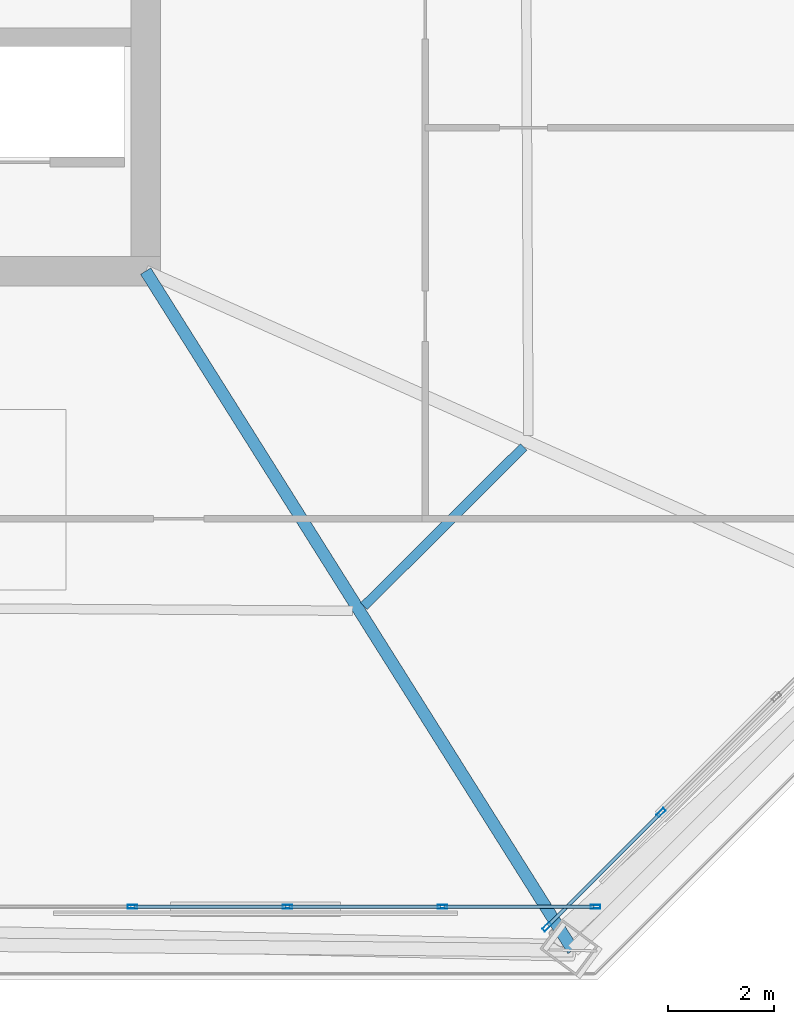
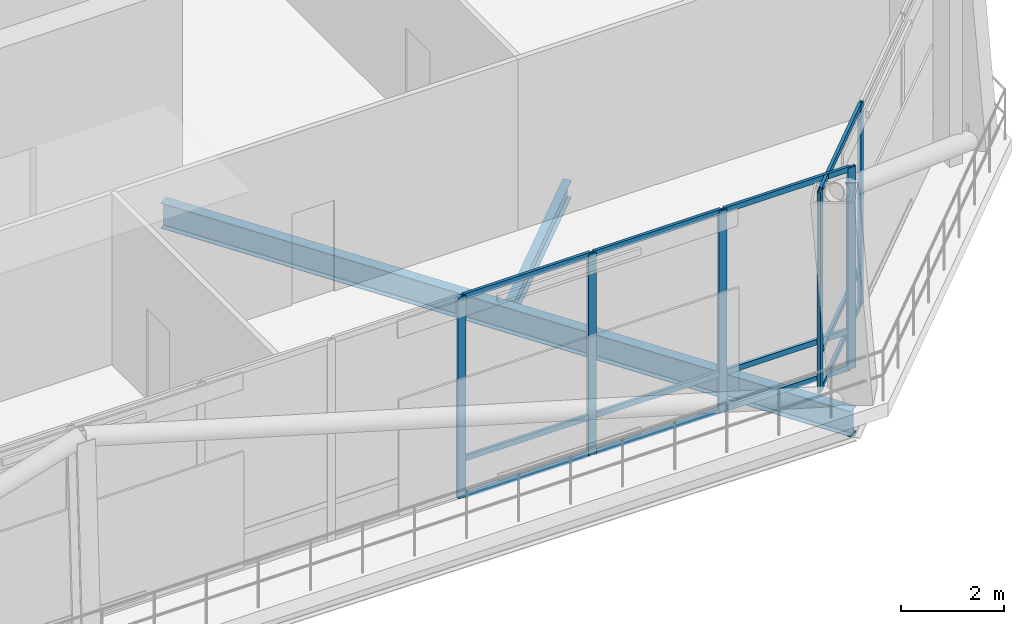
# One storey, part 14 of 34: 18 members, 2 beams, 2 elements without a shape of their own.
"""IFC4 building model written with IfcOpenShell, lengths in metres."""

from ifc_helpers import new_model, si_unit, direction, frame, origin, origin_2d, place, context, subcontext, project, spatial, hollow_rectangle, i_section, extrude, material, layer, layer_set, material_profile, profile_set, type_object, element, aggregate, save


model = new_model("IFC4")

# Units and contexts
model_context = context("Model", 3, precision=1e-05, world=origin(), true_north=direction((0.0, 1.0)))
body_context = subcontext(model_context, "Body", "Model", "MODEL_VIEW")
ifc_project = project(units=[si_unit("LENGTHUNIT", "METRE"), si_unit("AREAUNIT", "SQUARE_METRE"), si_unit("VOLUMEUNIT", "CUBIC_METRE"), si_unit("PLANEANGLEUNIT", "RADIAN"), si_unit("MASSUNIT", "GRAM", prefix="KILO")], contexts=[model_context])

# Site, building, storey
site_placement = place(None, origin())
site = spatial("IfcSite", under=ifc_project, at=site_placement, CompositionType="ELEMENT")
building_placement = place(site_placement, origin())
building = spatial("IfcBuilding", under=site, at=building_placement, Name="Caelvoria Tower", CompositionType="ELEMENT")
storey_placement = place(building_placement, frame((0.0, 0.0, 172.0)))
storey = spatial("IfcBuildingStorey", under=building, at=storey_placement, Name="L45", CompositionType="ELEMENT", Elevation=172.0)

# Curtain wall, members
ifc_material_1 = material(Name="Anodised Bronze Aluminium and Low-E Glass", Category="aluminium")
ifc_layer = layer(ifc_material_1, 0.2099609375, Name="Anodised Bronze Aluminium and Low-E Glass")
ifc_layer_set = layer_set([ifc_layer], Name="CW System 3 Sky Lobby Double-Height Acoustic Facade - Anodised Bronze Aluminium and Low-E Glass")
curtain_wall_type = type_object("IfcCurtainWallType", Name="CW System 3 Sky Lobby Double-Height Acoustic Facade", PredefinedType="NOTDEFINED", material=ifc_layer_set)
curtain_wall_1_placement = place(storey_placement, origin())
curtain_wall_1 = element("IfcCurtainWall", 1, at=curtain_wall_1_placement, inside=storey, type_object=curtain_wall_type, Name="CW-03 Curtain Wall L45-E0", PredefinedType="NOTDEFINED")
ifc_material_2 = material(Name="Anodised Bronze Architectural Aluminium", Category="aluminium")
ifc_material_profile_1 = material_profile(ifc_material_2, hollow_rectangle(XDim=0.070068359375, YDim=0.179931640625, WallThickness=0.00390625, at=origin_2d()), Name="Anodised Bronze Architectural Aluminium")
ifc_profile_set_1 = profile_set([ifc_material_profile_1], Name="CW_MULL_70X180 - Anodised Bronze Architectural Aluminium")
member_type_1 = type_object("IfcMemberType", Name="Curtain Wall Mullion 70x180 Bronze Aluminium", PredefinedType="MULLION", material=ifc_profile_set_1)
member_1_placement = place(storey_placement, frame((54.75, 12.0400390625, 0.0), z_axis=(0.0, 0.0, 1.0), x_axis=(0.0, 1.0, 0.0)))
member_1 = element("IfcMember", 2, at=member_1_placement, type_object=member_type_1, Name="CW-03 mullion 10", PredefinedType="MULLION", context=body_context, shape_type="SweptSolid", body=[
    extrude(hollow_rectangle(XDim=0.070068359375, YDim=0.179931640625, WallThickness=0.00390625, at=origin_2d()), origin(), (0.0, 0.0, 1.0), 4.760009765625),
])
member_2_placement = place(storey_placement, frame((57.666748046875, 12.0400390625, 0.0), z_axis=(0.0, 0.0, 1.0), x_axis=(0.0, 1.0, 0.0)))
member_2 = element("IfcMember", 3, at=member_2_placement, type_object=member_type_1, Name="CW-03 mullion 11", PredefinedType="MULLION", context=body_context, shape_type="SweptSolid", body=[
    extrude(hollow_rectangle(XDim=0.070068359375, YDim=0.179931640625, WallThickness=0.00390625, at=origin_2d()), origin(), (0.0, 0.0, 1.0), 4.760009765625),
])
member_3_placement = place(storey_placement, frame((60.583251953125, 12.0400390625, 0.0), z_axis=(0.0, 0.0, 1.0), x_axis=(0.0, 1.0, 0.0)))
member_3 = element("IfcMember", 4, at=member_3_placement, type_object=member_type_1, Name="CW-03 mullion 12", PredefinedType="MULLION", context=body_context, shape_type="SweptSolid", body=[
    extrude(hollow_rectangle(XDim=0.070068359375, YDim=0.179931640625, WallThickness=0.00390625, at=origin_2d()), origin(), (0.0, 0.0, 1.0), 4.760009765625),
])
member_4_placement = place(storey_placement, frame((63.465087890625, 12.0400390625, 0.0), z_axis=(0.0, 0.0, 1.0), x_axis=(0.0, 1.0, 0.0)))
member_4 = element("IfcMember", 5, at=member_4_placement, type_object=member_type_1, Name="CW-03 mullion 13", PredefinedType="MULLION", context=body_context, shape_type="SweptSolid", body=[
    extrude(hollow_rectangle(XDim=0.070068359375, YDim=0.179931640625, WallThickness=0.00390625, at=origin_2d()), origin(), (0.0, 0.0, 1.0), 4.760009765625),
])

curtain_wall_2_placement = place(storey_placement, origin())
curtain_wall_2 = element("IfcCurtainWall", 6, at=curtain_wall_2_placement, inside=storey, type_object=curtain_wall_type, Name="CW-03 Curtain Wall L45-E1", PredefinedType="NOTDEFINED")
member_5_placement = place(storey_placement, frame((62.548828125, 11.66064453125, 0.0), z_axis=(0.0, 0.0, 1.0), x_axis=(-0.707106781187, 0.707106781187, 0.0)))
member_5 = element("IfcMember", 7, at=member_5_placement, type_object=member_type_1, Name="CW-03 mullion 1", PredefinedType="MULLION", context=body_context, shape_type="SweptSolid", body=[
    extrude(hollow_rectangle(XDim=0.070068359375, YDim=0.179931640625, WallThickness=0.00390625, at=origin_2d()), origin(), (0.0, 0.0, 1.0), 4.760009765625),
])
member_6_placement = place(storey_placement, frame((64.697509765625, 13.80908203125, 0.0), z_axis=(0.0, 0.0, 1.0), x_axis=(-0.707106781187, 0.707106781187, 0.0)))
member_6 = element("IfcMember", 8, at=member_6_placement, type_object=member_type_1, Name="CW-03 mullion 2", PredefinedType="MULLION", context=body_context, shape_type="SweptSolid", body=[
    extrude(hollow_rectangle(XDim=0.070068359375, YDim=0.179931640625, WallThickness=0.00390625, at=origin_2d()), origin(), (0.0, 0.0, 1.0), 4.760009765625),
])

# Member
ifc_material_profile_2 = material_profile(ifc_material_2, hollow_rectangle(XDim=0.06494140625, YDim=0.1298828125, WallThickness=0.00341796875, at=origin_2d()), Name="Anodised Bronze Architectural Aluminium")
ifc_profile_set_2 = profile_set([ifc_material_profile_2], Name="CW_TRAN_65X130 - Anodised Bronze Architectural Aluminium")
member_type_2 = type_object("IfcMemberType", Name="Curtain Wall Transom 65x130 Bronze Aluminium", PredefinedType="USERDEFINED", material=ifc_profile_set_2)
member_7_placement = place(storey_placement, frame((54.784912109375, 12.0400390625, 0.032470703125), z_axis=(1.0, 0.0, 0.0), x_axis=(0.0, 1.0, 0.0)))
member_7 = element("IfcMember", 9, at=member_7_placement, type_object=member_type_2, Name="CW-03 transom 10.1", ObjectType="TRANSOM", PredefinedType="USERDEFINED", context=body_context, shape_type="SweptSolid", body=[
    extrude(hollow_rectangle(XDim=0.06494140625, YDim=0.1298828125, WallThickness=0.00341796875, at=origin_2d()), origin(), (0.0, 0.0, 1.0), 2.8466796875),
])

member_8_placement = place(storey_placement, frame((54.784912109375, 12.0400390625, 0.89990234375), z_axis=(1.0, 0.0, 0.0), x_axis=(0.0, 1.0, 0.0)))
member_8 = element("IfcMember", 10, at=member_8_placement, type_object=member_type_2, Name="CW-03 transom 10.2", ObjectType="TRANSOM", PredefinedType="USERDEFINED", context=body_context, shape_type="SweptSolid", body=[
    extrude(hollow_rectangle(XDim=0.06494140625, YDim=0.1298828125, WallThickness=0.00341796875, at=origin_2d()), origin(), (0.0, 0.0, 1.0), 2.8466796875),
])

member_9_placement = place(storey_placement, frame((54.784912109375, 12.0400390625, 4.7275390625), z_axis=(1.0, 0.0, 0.0), x_axis=(0.0, 1.0, 0.0)))
member_9 = element("IfcMember", 11, at=member_9_placement, type_object=member_type_2, Name="CW-03 transom 10.3", ObjectType="TRANSOM", PredefinedType="USERDEFINED", context=body_context, shape_type="SweptSolid", body=[
    extrude(hollow_rectangle(XDim=0.06494140625, YDim=0.1298828125, WallThickness=0.00341796875, at=origin_2d()), origin(), (0.0, 0.0, 1.0), 2.8466796875),
])

member_10_placement = place(storey_placement, frame((57.70166015625, 12.0400390625, 0.032470703125), z_axis=(1.0, 0.0, 0.0), x_axis=(0.0, 1.0, 0.0)))
member_10 = element("IfcMember", 12, at=member_10_placement, type_object=member_type_2, Name="CW-03 transom 11.1", ObjectType="TRANSOM", PredefinedType="USERDEFINED", context=body_context, shape_type="SweptSolid", body=[
    extrude(hollow_rectangle(XDim=0.06494140625, YDim=0.1298828125, WallThickness=0.00341796875, at=origin_2d()), origin(), (0.0, 0.0, 1.0), 2.8466796875),
])

member_11_placement = place(storey_placement, frame((57.70166015625, 12.0400390625, 0.89990234375), z_axis=(1.0, 0.0, 0.0), x_axis=(0.0, 1.0, 0.0)))
member_11 = element("IfcMember", 13, at=member_11_placement, type_object=member_type_2, Name="CW-03 transom 11.2", ObjectType="TRANSOM", PredefinedType="USERDEFINED", context=body_context, shape_type="SweptSolid", body=[
    extrude(hollow_rectangle(XDim=0.06494140625, YDim=0.1298828125, WallThickness=0.00341796875, at=origin_2d()), origin(), (0.0, 0.0, 1.0), 2.8466796875),
])

member_12_placement = place(storey_placement, frame((57.70166015625, 12.0400390625, 4.7275390625), z_axis=(1.0, 0.0, 0.0), x_axis=(0.0, 1.0, 0.0)))
member_12 = element("IfcMember", 14, at=member_12_placement, type_object=member_type_2, Name="CW-03 transom 11.3", ObjectType="TRANSOM", PredefinedType="USERDEFINED", context=body_context, shape_type="SweptSolid", body=[
    extrude(hollow_rectangle(XDim=0.06494140625, YDim=0.1298828125, WallThickness=0.00341796875, at=origin_2d()), origin(), (0.0, 0.0, 1.0), 2.8466796875),
])

member_13_placement = place(storey_placement, frame((60.618408203125, 12.0400390625, 0.032470703125), z_axis=(1.0, 0.0, 0.0), x_axis=(0.0, 1.0, 0.0)))
member_13 = element("IfcMember", 15, at=member_13_placement, type_object=member_type_2, Name="CW-03 transom 12.1", ObjectType="TRANSOM", PredefinedType="USERDEFINED", context=body_context, shape_type="SweptSolid", body=[
    extrude(hollow_rectangle(XDim=0.06494140625, YDim=0.1298828125, WallThickness=0.00341796875, at=origin_2d()), origin(), (0.0, 0.0, 1.0), 2.8115234375),
])

member_14_placement = place(storey_placement, frame((60.618408203125, 12.0400390625, 0.89990234375), z_axis=(1.0, 0.0, 0.0), x_axis=(0.0, 1.0, 0.0)))
member_14 = element("IfcMember", 16, at=member_14_placement, type_object=member_type_2, Name="CW-03 transom 12.2", ObjectType="TRANSOM", PredefinedType="USERDEFINED", context=body_context, shape_type="SweptSolid", body=[
    extrude(hollow_rectangle(XDim=0.06494140625, YDim=0.1298828125, WallThickness=0.00341796875, at=origin_2d()), origin(), (0.0, 0.0, 1.0), 2.8115234375),
])

member_15_placement = place(storey_placement, frame((60.618408203125, 12.0400390625, 4.7275390625), z_axis=(1.0, 0.0, 0.0), x_axis=(0.0, 1.0, 0.0)))
member_15 = element("IfcMember", 17, at=member_15_placement, type_object=member_type_2, Name="CW-03 transom 12.3", ObjectType="TRANSOM", PredefinedType="USERDEFINED", context=body_context, shape_type="SweptSolid", body=[
    extrude(hollow_rectangle(XDim=0.06494140625, YDim=0.1298828125, WallThickness=0.00341796875, at=origin_2d()), origin(), (0.0, 0.0, 1.0), 2.8115234375),
])

aggregate(curtain_wall_1, [member_1, member_2, member_3, member_4, member_7, member_8, member_9, member_10, member_11, member_12, member_13, member_14, member_15])

member_16_placement = place(storey_placement, frame((62.57373046875, 11.685302734375, 0.032470703125), z_axis=(0.707106781187, 0.707106781187, 0.0), x_axis=(-0.707106781187, 0.707106781187, 0.0)))
member_16 = element("IfcMember", 18, at=member_16_placement, type_object=member_type_2, Name="CW-03 transom 1.1", ObjectType="TRANSOM", PredefinedType="USERDEFINED", context=body_context, shape_type="SweptSolid", body=[
    extrude(hollow_rectangle(XDim=0.06494140625, YDim=0.1298828125, WallThickness=0.00341796875, at=origin_2d()), origin(), (0.0, 0.0, 1.0), 2.968505859375),
])

member_17_placement = place(storey_placement, frame((62.57373046875, 11.685302734375, 0.89990234375), z_axis=(0.707106781187, 0.707106781187, 0.0), x_axis=(-0.707106781187, 0.707106781187, 0.0)))
member_17 = element("IfcMember", 19, at=member_17_placement, type_object=member_type_2, Name="CW-03 transom 1.2", ObjectType="TRANSOM", PredefinedType="USERDEFINED", context=body_context, shape_type="SweptSolid", body=[
    extrude(hollow_rectangle(XDim=0.06494140625, YDim=0.1298828125, WallThickness=0.00341796875, at=origin_2d()), origin(), (0.0, 0.0, 1.0), 2.968505859375),
])

member_18_placement = place(storey_placement, frame((62.57373046875, 11.685302734375, 4.7275390625), z_axis=(0.707106781187, 0.707106781187, 0.0), x_axis=(-0.707106781187, 0.707106781187, 0.0)))
member_18 = element("IfcMember", 20, at=member_18_placement, type_object=member_type_2, Name="CW-03 transom 1.3", ObjectType="TRANSOM", PredefinedType="USERDEFINED", context=body_context, shape_type="SweptSolid", body=[
    extrude(hollow_rectangle(XDim=0.06494140625, YDim=0.1298828125, WallThickness=0.00341796875, at=origin_2d()), origin(), (0.0, 0.0, 1.0), 2.968505859375),
])

aggregate(curtain_wall_2, [member_5, member_6, member_16, member_17, member_18])

# Beams
ifc_material_3 = material(Name="Structural Steel ASTM A992 Gr.50", Category="steel")
ifc_material_profile_3 = material_profile(ifc_material_3, i_section(OverallWidth=0.22802734375, OverallDepth=0.60302734375, WebThickness=0.010498046875, FlangeThickness=0.014892578125, FilletRadius=0.01806640625, at=origin_2d()), Name="Structural Steel ASTM A992 Gr.50")
ifc_profile_set_3 = profile_set([ifc_material_profile_3], Name="W610X101 - Structural Steel ASTM A992 Gr.50")
beam_type_1 = type_object("IfcBeamType", Name="Primary Floor Girder W610X101", PredefinedType="BEAM", material=ifc_profile_set_3)
beam_1_placement = place(storey_placement, frame((55.0, 24.0, -0.62158203125), z_axis=(0.532565439533, -0.84638883063, 0.0), x_axis=(0.84638883063, 0.532565439533, 0.0)))
element("IfcBeam", 21, at=beam_1_placement, inside=storey, type_object=beam_type_1, Name="Primary Floor Girder L45-02", PredefinedType="BEAM", context=body_context, shape_type="SweptSolid", body=[
    extrude(i_section(OverallWidth=0.22802734375, OverallDepth=0.60302734375, WebThickness=0.010498046875, FlangeThickness=0.014892578125, FilletRadius=0.01806640625, at=origin_2d()), origin(), (0.0, 0.0, 1.0), 15.103271484375),
])
ifc_material_profile_4 = material_profile(ifc_material_3, i_section(OverallWidth=0.177978515625, OverallDepth=0.406982421875, WebThickness=0.0078125, FlangeThickness=0.0126953125, FilletRadius=0.013916015625, at=origin_2d()), Name="Structural Steel ASTM A992 Gr.50")
ifc_profile_set_4 = profile_set([ifc_material_profile_4], Name="W410X60 - Structural Steel ASTM A992 Gr.50")
beam_type_2 = type_object("IfcBeamType", Name="Secondary Floor Beam W410X60", PredefinedType="BEAM", material=ifc_profile_set_4)
beam_2_placement = place(storey_placement, frame((59.110107421875, 17.696533203125, -0.5234375), z_axis=(0.70834305441, 0.705868342731, 0.0), x_axis=(-0.705868342731, 0.70834305441, 0.0)))
element("IfcBeam", 22, at=beam_2_placement, inside=storey, type_object=beam_type_2, Name="Secondary Floor Beam L45-02", PredefinedType="BEAM", context=body_context, shape_type="SweptSolid", body=[
    extrude(i_section(OverallWidth=0.177978515625, OverallDepth=0.406982421875, WebThickness=0.0078125, FlangeThickness=0.0126953125, FilletRadius=0.013916015625, at=origin_2d()), origin(), (0.0, 0.0, 1.0), 4.2421875),
])

save(model, "model.ifc")
